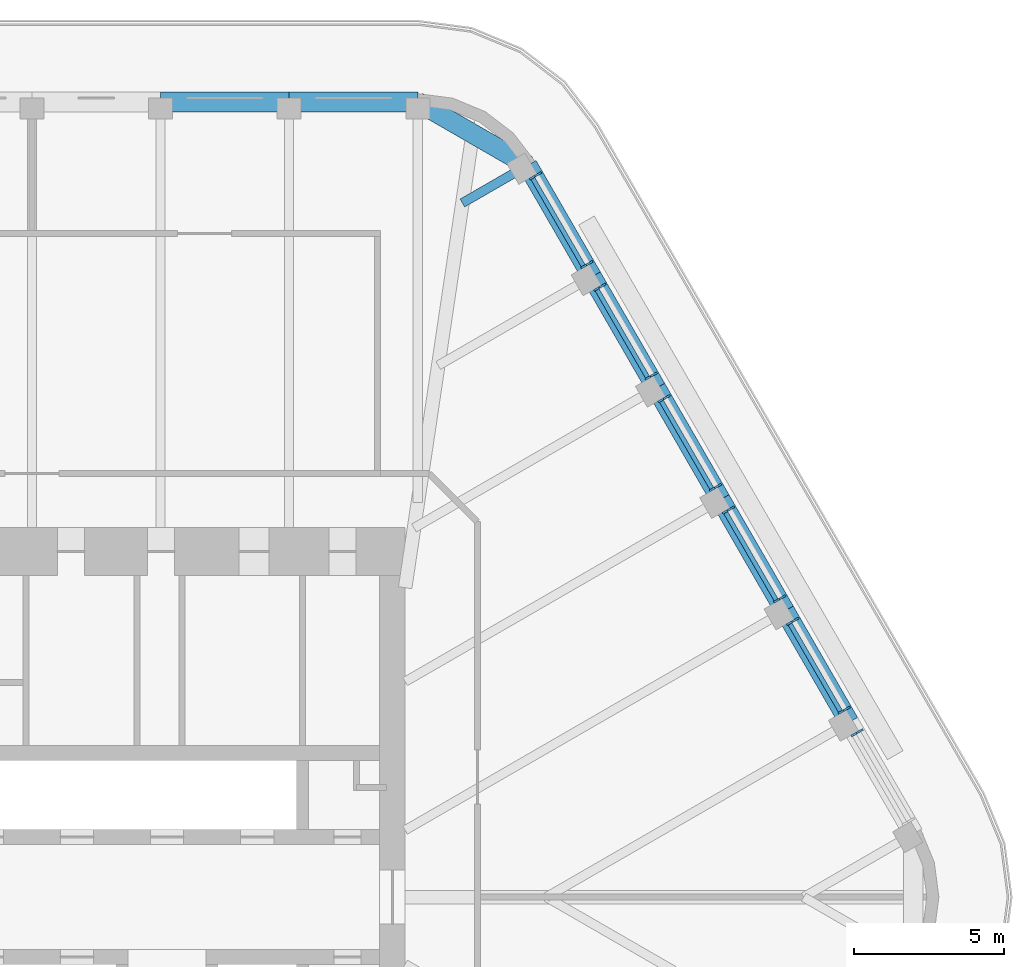
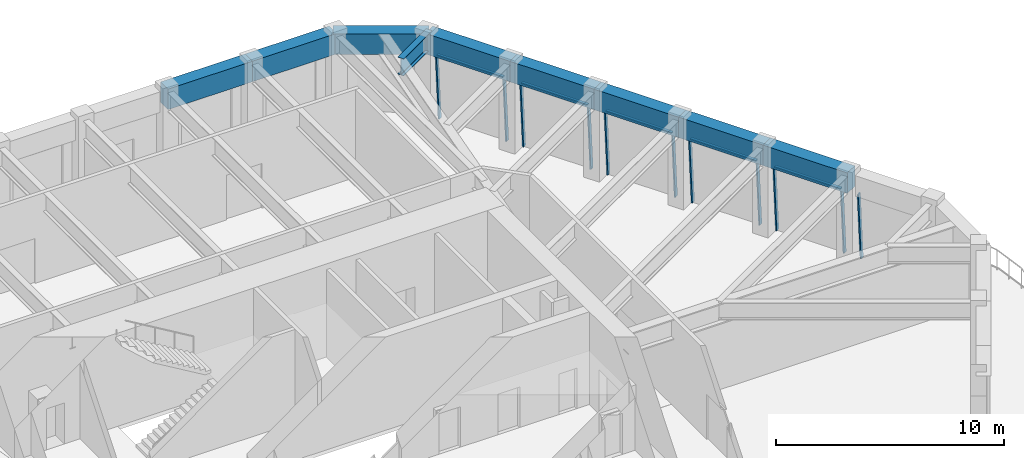
# One storey, part 5 of 13: 16 members, 9 beams, 6 elements without a shape of their own.
"""IFC4 building model written with IfcOpenShell, lengths in metres."""

from ifc_helpers import new_model, si_unit, direction, frame, origin, origin_2d, place, context, subcontext, project, spatial, rectangle, i_section, extrude, material, material_profile, profile_set, type_object, element, aggregate, save


model = new_model("IFC4")

# Units and contexts
model_context = context("Model", 3, precision=1e-05, world=origin(), true_north=direction((0.0, 1.0)))
body_context = subcontext(model_context, "Body", "Model", "MODEL_VIEW")
ifc_project = project(units=[si_unit("LENGTHUNIT", "METRE"), si_unit("AREAUNIT", "SQUARE_METRE"), si_unit("VOLUMEUNIT", "CUBIC_METRE"), si_unit("PLANEANGLEUNIT", "RADIAN"), si_unit("MASSUNIT", "GRAM", prefix="KILO")], contexts=[model_context])

# Site, building, storey
site_placement = place(None, origin())
site = spatial("IfcSite", under=ifc_project, at=site_placement, CompositionType="ELEMENT")
building_placement = place(site_placement, origin())
building = spatial("IfcBuilding", under=site, at=building_placement, Name="Tarfa Lantern Tower", CompositionType="ELEMENT")
storey_placement = place(building_placement, frame((0.0, 0.0, 391.300048828125)))
storey = spatial("IfcBuildingStorey", under=building, at=storey_placement, Name="L89", CompositionType="ELEMENT", Elevation=391.300048828125)

# Curtain wall, member
ifc_material_1 = material(Name="Aluminium framed curtain wall", Category="aluminium")
curtain_wall_type = type_object("IfcCurtainWallType", Name="CW5 CANTED GLAZING SKY LOBBY 3600", PredefinedType="USERDEFINED", material=ifc_material_1)
curtain_wall_1_placement = place(storey_placement, origin())
curtain_wall_1 = element("IfcCurtainWall", 1, at=curtain_wall_1_placement, inside=storey, type_object=curtain_wall_type, Name="CW5 NE L89", ObjectType="CURTAIN WALL", PredefinedType="USERDEFINED")
ifc_material_2 = material(Name="Aluminium mullion", Category="aluminium")
ifc_material_profile_1 = material_profile(ifc_material_2, rectangle(XDim=0.06494140625, YDim=0.199951171875, at=origin_2d()), Name="AL MULLION 65x200")
ifc_profile_set_1 = profile_set([ifc_material_profile_1], Name="Aluminium mullion")
member_type_1 = type_object("IfcMemberType", Name="CWM1 MULLION 65x200", PredefinedType="MULLION", material=ifc_profile_set_1)
member_1_placement = place(storey_placement, frame((27.577880859375, 5.53369140625, 0.0), z_axis=(-0.060011397565, -0.03464017537, 0.997596456696), x_axis=(0.499919672301, -0.866071776036, 0.0)))
member_1 = element("IfcMember", 2, at=member_1_placement, type_object=member_type_1, Name="CW5 mullion 2", PredefinedType="MULLION", context=body_context, shape_type="SweptSolid", body=[
    extrude(rectangle(XDim=0.06494140625, YDim=0.199951171875, at=origin_2d()), origin(), (0.0, 0.0, 1.0), 3.608642578125),
])
aggregate(curtain_wall_1, [member_1])

# Curtain wall, members
curtain_wall_2_placement = place(storey_placement, origin())
curtain_wall_2 = element("IfcCurtainWall", 3, at=curtain_wall_2_placement, inside=storey, type_object=curtain_wall_type, Name="CW5 NE L89", ObjectType="CURTAIN WALL", PredefinedType="USERDEFINED")
member_2_placement = place(storey_placement, frame((27.145263671875, 6.282958984375, 0.0), z_axis=(-0.059943984218, -0.034640315936, 0.997600504845), x_axis=(0.500342721131, -0.865827443207, 0.0)))
member_2 = element("IfcMember", 4, at=member_2_placement, type_object=member_type_1, Name="CW5 mullion 1", PredefinedType="MULLION", context=body_context, shape_type="SweptSolid", body=[
    extrude(rectangle(XDim=0.06494140625, YDim=0.199951171875, at=origin_2d()), origin(), (0.0, 0.0, 1.0), 3.6083984375),
])
member_3_placement = place(storey_placement, frame((25.436767578125, 9.2421875, 0.0), z_axis=(-0.060011397565, -0.03464017537, 0.997596456696), x_axis=(0.499919672301, -0.866071776036, 0.0)))
member_3 = element("IfcMember", 5, at=member_3_placement, type_object=member_type_1, Name="CW5 mullion 2", PredefinedType="MULLION", context=body_context, shape_type="SweptSolid", body=[
    extrude(rectangle(XDim=0.06494140625, YDim=0.199951171875, at=origin_2d()), origin(), (0.0, 0.0, 1.0), 3.608642578125),
])

curtain_wall_3_placement = place(storey_placement, origin())
curtain_wall_3 = element("IfcCurtainWall", 6, at=curtain_wall_3_placement, inside=storey, type_object=curtain_wall_type, Name="CW5 NE L89", ObjectType="CURTAIN WALL", PredefinedType="USERDEFINED")
member_4_placement = place(storey_placement, frame((25.00439453125, 9.9912109375, 0.0), z_axis=(-0.060011397565, -0.03464017537, 0.997596456696), x_axis=(0.499919672301, -0.866071776036, 0.0)))
member_4 = element("IfcMember", 7, at=member_4_placement, type_object=member_type_1, Name="CW5 mullion 1", PredefinedType="MULLION", context=body_context, shape_type="SweptSolid", body=[
    extrude(rectangle(XDim=0.06494140625, YDim=0.199951171875, at=origin_2d()), origin(), (0.0, 0.0, 1.0), 3.608642578125),
])
member_5_placement = place(storey_placement, frame((23.2958984375, 12.950439453125, 0.0), z_axis=(-0.060011397565, -0.03464017537, 0.997596456696), x_axis=(0.499919672301, -0.866071776036, 0.0)))
member_5 = element("IfcMember", 8, at=member_5_placement, type_object=member_type_1, Name="CW5 mullion 2", PredefinedType="MULLION", context=body_context, shape_type="SweptSolid", body=[
    extrude(rectangle(XDim=0.06494140625, YDim=0.199951171875, at=origin_2d()), origin(), (0.0, 0.0, 1.0), 3.608642578125),
])

curtain_wall_4_placement = place(storey_placement, origin())
curtain_wall_4 = element("IfcCurtainWall", 9, at=curtain_wall_4_placement, inside=storey, type_object=curtain_wall_type, Name="CW5 NE L89", ObjectType="CURTAIN WALL", PredefinedType="USERDEFINED")
member_6_placement = place(storey_placement, frame((22.86328125, 13.699462890625, 0.0), z_axis=(-0.060011397565, -0.03464017537, 0.997596456696), x_axis=(0.499919672301, -0.866071776036, 0.0)))
member_6 = element("IfcMember", 10, at=member_6_placement, type_object=member_type_1, Name="CW5 mullion 1", PredefinedType="MULLION", context=body_context, shape_type="SweptSolid", body=[
    extrude(rectangle(XDim=0.06494140625, YDim=0.199951171875, at=origin_2d()), origin(), (0.0, 0.0, 1.0), 3.608642578125),
])
member_7_placement = place(storey_placement, frame((21.15478515625, 16.65869140625, 0.0), z_axis=(-0.060011397565, -0.03464017537, 0.997596456696), x_axis=(0.499919672301, -0.866071776036, 0.0)))
member_7 = element("IfcMember", 11, at=member_7_placement, type_object=member_type_1, Name="CW5 mullion 2", PredefinedType="MULLION", context=body_context, shape_type="SweptSolid", body=[
    extrude(rectangle(XDim=0.06494140625, YDim=0.199951171875, at=origin_2d()), origin(), (0.0, 0.0, 1.0), 3.608642578125),
])

curtain_wall_5_placement = place(storey_placement, origin())
curtain_wall_5 = element("IfcCurtainWall", 12, at=curtain_wall_5_placement, inside=storey, type_object=curtain_wall_type, Name="CW5 NE L89", ObjectType="CURTAIN WALL", PredefinedType="USERDEFINED")
member_8_placement = place(storey_placement, frame((20.722412109375, 17.407958984375, 0.0), z_axis=(-0.060011397565, -0.03464017537, 0.997596456696), x_axis=(0.499919672301, -0.866071776036, 0.0)))
member_8 = element("IfcMember", 13, at=member_8_placement, type_object=member_type_1, Name="CW5 mullion 1", PredefinedType="MULLION", context=body_context, shape_type="SweptSolid", body=[
    extrude(rectangle(XDim=0.06494140625, YDim=0.199951171875, at=origin_2d()), origin(), (0.0, 0.0, 1.0), 3.608642578125),
])
member_9_placement = place(storey_placement, frame((19.013916015625, 20.3671875, 0.0), z_axis=(-0.060011397565, -0.03464017537, 0.997596456696), x_axis=(0.499919672301, -0.866071776036, 0.0)))
member_9 = element("IfcMember", 14, at=member_9_placement, type_object=member_type_1, Name="CW5 mullion 2", PredefinedType="MULLION", context=body_context, shape_type="SweptSolid", body=[
    extrude(rectangle(XDim=0.06494140625, YDim=0.199951171875, at=origin_2d()), origin(), (0.0, 0.0, 1.0), 3.608642578125),
])

curtain_wall_6_placement = place(storey_placement, origin())
curtain_wall_6 = element("IfcCurtainWall", 15, at=curtain_wall_6_placement, inside=storey, type_object=curtain_wall_type, Name="CW5 NE L89", ObjectType="CURTAIN WALL", PredefinedType="USERDEFINED")
member_10_placement = place(storey_placement, frame((18.581298828125, 21.1162109375, 0.0), z_axis=(-0.060011397565, -0.03464017537, 0.997596456696), x_axis=(0.499919672301, -0.866071776036, 0.0)))
member_10 = element("IfcMember", 16, at=member_10_placement, type_object=member_type_1, Name="CW5 mullion 1", PredefinedType="MULLION", context=body_context, shape_type="SweptSolid", body=[
    extrude(rectangle(XDim=0.06494140625, YDim=0.199951171875, at=origin_2d()), origin(), (0.0, 0.0, 1.0), 3.608642578125),
])
member_11_placement = place(storey_placement, frame((16.872802734375, 24.075439453125, 0.0), z_axis=(-0.060011397565, -0.03464017537, 0.997596456696), x_axis=(0.499919672301, -0.866071776036, 0.0)))
member_11 = element("IfcMember", 17, at=member_11_placement, type_object=member_type_1, Name="CW5 mullion 2", PredefinedType="MULLION", context=body_context, shape_type="SweptSolid", body=[
    extrude(rectangle(XDim=0.06494140625, YDim=0.199951171875, at=origin_2d()), origin(), (0.0, 0.0, 1.0), 3.608642578125),
])

# Member
ifc_material_3 = material(Name="Aluminium transom", Category="aluminium")
ifc_material_profile_2 = material_profile(ifc_material_3, rectangle(XDim=0.14990234375, YDim=0.06494140625, at=origin_2d()), Name="AL TRANSOM 150x65")
ifc_profile_set_2 = profile_set([ifc_material_profile_2], Name="Aluminium transom")
member_type_2 = type_object("IfcMemberType", Name="CWT1 TRANSOM 150x65", PredefinedType="USERDEFINED", material=ifc_profile_set_2)
member_12_placement = place(storey_placement, frame((26.91455078125, 6.187255859375, 3.5673828125), z_axis=(-0.500016677412, 0.866015774862, 0.0), x_axis=(-0.866015774862, -0.500016677412, 0.0)))
member_12 = element("IfcMember", 18, at=member_12_placement, type_object=member_type_2, Name="CW5 transom 1.2", ObjectType="TRANSOM", PredefinedType="USERDEFINED", context=body_context, shape_type="SweptSolid", body=[
    extrude(rectangle(XDim=0.14990234375, YDim=0.06494140625, at=origin_2d()), origin(), (0.0, 0.0, 1.0), 3.35205078125),
])

aggregate(curtain_wall_2, [member_2, member_3, member_12])

member_13_placement = place(storey_placement, frame((24.7734375, 9.8955078125, 3.5673828125), z_axis=(-0.500016677412, 0.866015774862, 0.0), x_axis=(-0.866015774862, -0.500016677412, 0.0)))
member_13 = element("IfcMember", 19, at=member_13_placement, type_object=member_type_2, Name="CW5 transom 1.2", ObjectType="TRANSOM", PredefinedType="USERDEFINED", context=body_context, shape_type="SweptSolid", body=[
    extrude(rectangle(XDim=0.14990234375, YDim=0.06494140625, at=origin_2d()), origin(), (0.0, 0.0, 1.0), 3.35205078125),
])

aggregate(curtain_wall_3, [member_4, member_5, member_13])

member_14_placement = place(storey_placement, frame((22.632568359375, 13.603759765625, 3.5673828125), z_axis=(-0.499985139611, 0.866033983264, 0.0), x_axis=(-0.866033983264, -0.499985139611, 0.0)))
member_14 = element("IfcMember", 20, at=member_14_placement, type_object=member_type_2, Name="CW5 transom 1.2", ObjectType="TRANSOM", PredefinedType="USERDEFINED", context=body_context, shape_type="SweptSolid", body=[
    extrude(rectangle(XDim=0.14990234375, YDim=0.06494140625, at=origin_2d()), origin(), (0.0, 0.0, 1.0), 3.35205078125),
])

aggregate(curtain_wall_4, [member_6, member_7, member_14])

member_15_placement = place(storey_placement, frame((20.491455078125, 17.312255859375, 3.5673828125), z_axis=(-0.500016677412, 0.866015774862, 0.0), x_axis=(-0.866015774862, -0.500016677412, 0.0)))
member_15 = element("IfcMember", 21, at=member_15_placement, type_object=member_type_2, Name="CW5 transom 1.2", ObjectType="TRANSOM", PredefinedType="USERDEFINED", context=body_context, shape_type="SweptSolid", body=[
    extrude(rectangle(XDim=0.14990234375, YDim=0.06494140625, at=origin_2d()), origin(), (0.0, 0.0, 1.0), 3.35205078125),
])

aggregate(curtain_wall_5, [member_8, member_9, member_15])

member_16_placement = place(storey_placement, frame((18.3505859375, 21.0205078125, 3.5673828125), z_axis=(-0.500016677412, 0.866015774862, 0.0), x_axis=(-0.866015774862, -0.500016677412, 0.0)))
member_16 = element("IfcMember", 22, at=member_16_placement, type_object=member_type_2, Name="CW5 transom 1.2", ObjectType="TRANSOM", PredefinedType="USERDEFINED", context=body_context, shape_type="SweptSolid", body=[
    extrude(rectangle(XDim=0.14990234375, YDim=0.06494140625, at=origin_2d()), origin(), (0.0, 0.0, 1.0), 3.35205078125),
])

aggregate(curtain_wall_6, [member_10, member_11, member_16])

# Beams
ifc_material_4 = material(Name="Concrete C80/95", Category="concrete")
ifc_material_profile_3 = material_profile(ifc_material_4, rectangle(XDim=0.64990234375, YDim=1.10009765625, at=origin_2d()), Name="RC 650x1100")
ifc_profile_set_3 = profile_set([ifc_material_profile_3], Name="Concrete C80/95")
beam_type_1 = type_object("IfcBeamType", Name="EB4 RC 650x1100", PredefinedType="SPANDREL", material=ifc_profile_set_3)
beam_1_placement = place(storey_placement, frame((27.205810546875, 5.818359375, 4.14990234375), z_axis=(-0.500026801138, 0.866009929587, 0.0), x_axis=(-0.866009929587, -0.500026801138, 0.0)))
element("IfcBeam", 23, at=beam_1_placement, inside=storey, type_object=beam_type_1, Name="Edge beam NE1", PredefinedType="SPANDREL", context=body_context, shape_type="SweptSolid", body=[
    extrude(rectangle(XDim=0.64990234375, YDim=1.10009765625, at=origin_2d()), origin(), (0.0, 0.0, 1.0), 4.281982421875),
])
beam_2_placement = place(storey_placement, frame((25.064697265625, 9.526611328125, 4.14990234375), z_axis=(-0.500002112793, 0.866024183959, 0.0), x_axis=(-0.866024183959, -0.500002112793, 0.0)))
element("IfcBeam", 24, at=beam_2_placement, inside=storey, type_object=beam_type_1, Name="Edge beam NE2", PredefinedType="SPANDREL", context=body_context, shape_type="SweptSolid", body=[
    extrude(rectangle(XDim=0.64990234375, YDim=1.10009765625, at=origin_2d()), origin(), (0.0, 0.0, 1.0), 4.2822265625),
])
for number, where, z_axis, x_axis, name in (
    (25, (22.923583984375, 13.235107421875, 4.14990234375), (-0.499984039138, 0.866034618596, 0.0), (-0.866034618596, -0.499984039138, 0.0), "Edge beam NE3"),
    (26, (20.78271484375, 16.943359375, 4.14990234375), (-0.500026801138, 0.866009929587, 0.0), (-0.866009929587, -0.500026801138, 0.0), "Edge beam NE4"),
    (27, (18.6416015625, 20.651611328125, 4.14990234375), (-0.499959351497, 0.866048870937, 0.0), (-0.866048870937, -0.499959351497, 0.0), "Edge beam NE5"),
):
    element("IfcBeam", number, at=place(storey_placement, frame(where, z_axis=z_axis, x_axis=x_axis)), inside=storey, type_object=beam_type_1, Name=name, PredefinedType="SPANDREL", context=body_context, shape_type="SweptSolid", body=[
        extrude(rectangle(XDim=0.64990234375, YDim=1.10009765625, at=origin_2d()), origin(), (0.0, 0.0, 1.0), 4.281982421875),
    ])
beam_3_placement = place(storey_placement, frame((16.500732421875, 24.360107421875, 4.14990234375), z_axis=(-0.866048788483, 0.499959494327, 0.0), x_axis=(-0.499959494327, -0.866048788483, 0.0)))
element("IfcBeam", 28, at=beam_3_placement, inside=storey, type_object=beam_type_1, Name="Edge beam NE6", PredefinedType="SPANDREL", context=body_context, shape_type="SweptSolid", body=[
    extrude(rectangle(XDim=0.64990234375, YDim=1.10009765625, at=origin_2d()), origin(), (0.0, 0.0, 1.0), 4.219970703125),
])
for number, where, z_axis, x_axis, name in (
    (29, (12.845947265625, 26.469970703125, 4.14990234375), (-1.0, 0.0, 0.0), (0.0, -1.0, 0.0), "Edge beam N0"),
    (30, (8.56396484375, 26.469970703125, 4.14990234375), (-1.0, 0.0, 0.0), (0.0, -1.0, 0.0), "Edge beam N1"),
):
    element("IfcBeam", number, at=place(storey_placement, frame(where, z_axis=z_axis, x_axis=x_axis)), inside=storey, type_object=beam_type_1, Name=name, PredefinedType="SPANDREL", context=body_context, shape_type="SweptSolid", body=[
        extrude(rectangle(XDim=0.64990234375, YDim=1.10009765625, at=origin_2d()), origin(), (0.0, 0.0, 1.0), 4.281982421875),
    ])
ifc_material_5 = material(Name="Steel S460M", Category="steel")
ifc_material_profile_4 = material_profile(ifc_material_5, i_section(OverallWidth=0.305419921875, OverallDepth=0.91845703125, WebThickness=0.017333984375, FlangeThickness=0.02783203125, FilletRadius=0.01904296875, at=origin_2d()), Name="UB914x305x253")
ifc_profile_set_4 = profile_set([ifc_material_profile_4], Name="Steel S460M")
beam_type_2 = type_object("IfcBeamType", Name="UB914x305x253", PredefinedType="BEAM", material=ifc_profile_set_4)
beam_4_placement = place(storey_placement, frame((16.500732421875, 24.360107421875, 4.24072265625), z_axis=(-0.865992557167, -0.500056887695, 0.0), x_axis=(0.500056887695, -0.865992557167, 0.0)))
element("IfcBeam", 31, at=beam_4_placement, inside=storey, type_object=beam_type_2, Name="Floor beam NE6", PredefinedType="BEAM", context=body_context, shape_type="SweptSolid", body=[
    extrude(i_section(OverallWidth=0.305419921875, OverallDepth=0.91845703125, WebThickness=0.017333984375, FlangeThickness=0.02783203125, FilletRadius=0.01904296875, at=origin_2d()), origin(), (0.0, 0.0, 1.0), 2.506591796875),
])

save(model, "model.ifc")
